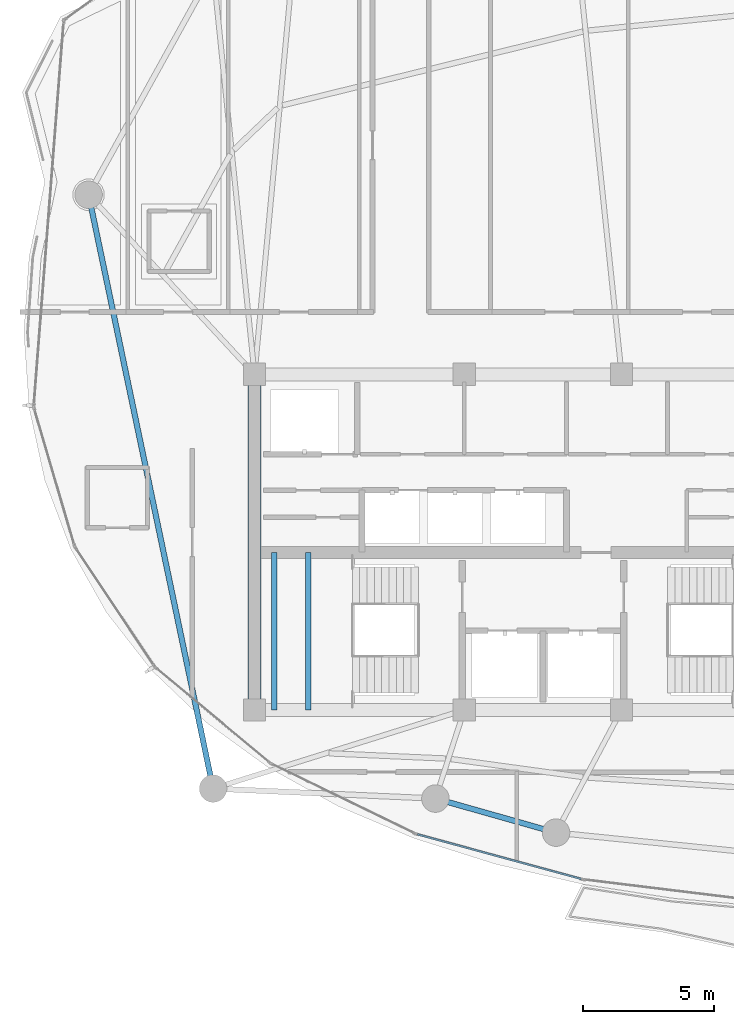
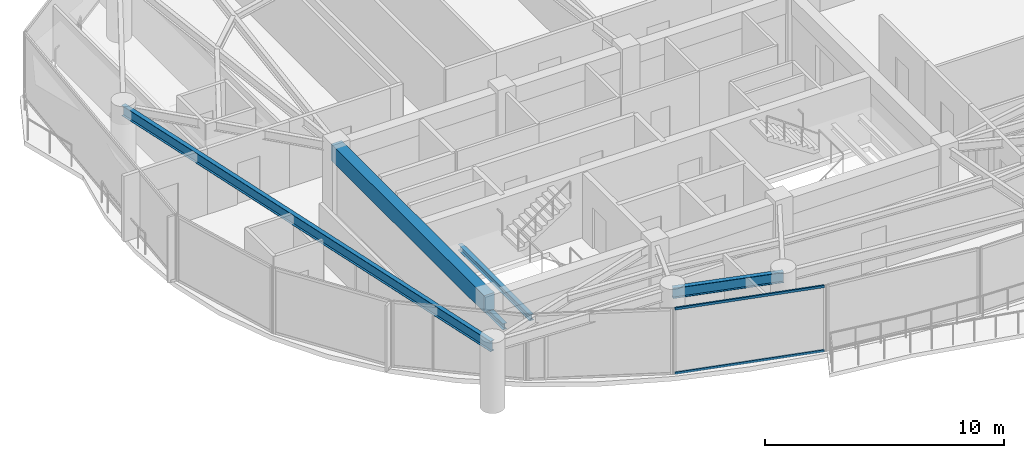
# One storey, part 4 of 31: 5 beams, 2 members, 1 element without a shape of its own.
"""IFC4 building model written with IfcOpenShell, lengths in metres."""

from ifc_helpers import new_model, si_unit, direction, frame, origin, origin_2d, place, context, subcontext, project, spatial, rectangle, hollow_rectangle, i_section, extrude, material, layer, layer_set, material_profile, profile_set, type_object, element, aggregate, save


model = new_model("IFC4")

# Units and contexts
model_context = context("Model", 3, precision=1e-05, world=origin(), true_north=direction((0.0, 1.0)))
body_context = subcontext(model_context, "Body", "Model", "MODEL_VIEW")
ifc_project = project(units=[si_unit("LENGTHUNIT", "METRE"), si_unit("AREAUNIT", "SQUARE_METRE"), si_unit("VOLUMEUNIT", "CUBIC_METRE"), si_unit("PLANEANGLEUNIT", "RADIAN"), si_unit("MASSUNIT", "GRAM", prefix="KILO")], contexts=[model_context])

# Site, building, storey
site_placement = place(None, origin())
site = spatial("IfcSite", under=ifc_project, at=site_placement, CompositionType="ELEMENT")
building_placement = place(site_placement, origin())
building = spatial("IfcBuilding", under=site, at=building_placement, Name="Kazevale Care Tower and Concert Hall", CompositionType="ELEMENT")
storey_placement = place(building_placement, frame((0.0, 0.0, 202.800048828125)))
storey = spatial("IfcBuildingStorey", under=building, at=storey_placement, Name="L53", CompositionType="ELEMENT", Elevation=202.800048828125)

# Curtain wall, members
ifc_material_1 = material(Name="Aluminium 6063-T6 and Low-E Glass", Category="aluminium")
ifc_layer = layer(ifc_material_1, 0.179931640625)
ifc_layer_set = layer_set([ifc_layer], Name="Aluminium 6063-T6 and Low-E Glass")
curtain_wall_type = type_object("IfcCurtainWallType", Name="Sheltered Concave Balcony Curtain Wall CW-5", PredefinedType="NOTDEFINED", material=ifc_layer_set)
curtain_wall_placement = place(storey_placement, origin())
curtain_wall = element("IfcCurtainWall", 1, at=curtain_wall_placement, inside=storey, type_object=curtain_wall_type, Name="cw:L53:f08", PredefinedType="NOTDEFINED")
ifc_material_2 = material(Name="Aluminium 6063-T6", Category="aluminium")
ifc_material_profile_1 = material_profile(ifc_material_2, hollow_rectangle(XDim=0.074951171875, YDim=0.1201171875, WallThickness=0.00390625, at=origin_2d()), Name="ALU75x120x4")
ifc_profile_set_1 = profile_set([ifc_material_profile_1], Name="Aluminium 6063-T6")
member_type = type_object("IfcMemberType", Name="CW-5 Transom ALU75x120x4", PredefinedType="USERDEFINED", material=ifc_profile_set_1)
member_1_placement = place(storey_placement, frame((34.458740234375, 17.15283203125, 0.037353515625), z_axis=(-0.964843890632, 0.262823641842, 0.0), x_axis=(-0.262823641842, -0.964843890632, 0.0)))
member_1 = element("IfcMember", 2, at=member_1_placement, type_object=member_type, Name="CW-5 transom 1.1", ObjectType="TRANSOM", PredefinedType="USERDEFINED", context=body_context, shape_type="SweptSolid", body=[
    extrude(hollow_rectangle(XDim=0.074951171875, YDim=0.1201171875, WallThickness=0.00390625, at=origin_2d()), origin(), (0.0, 0.0, 1.0), 6.469970703125),
])
member_2_placement = place(storey_placement, frame((34.458740234375, 17.15283203125, 3.322509765625), z_axis=(-0.964843890632, 0.262823641842, 0.0), x_axis=(-0.262823641842, -0.964843890632, 0.0)))
member_2 = element("IfcMember", 3, at=member_2_placement, type_object=member_type, Name="CW-5 transom 1.2", ObjectType="TRANSOM", PredefinedType="USERDEFINED", context=body_context, shape_type="SweptSolid", body=[
    extrude(hollow_rectangle(XDim=0.074951171875, YDim=0.1201171875, WallThickness=0.00390625, at=origin_2d()), origin(), (0.0, 0.0, 1.0), 6.469970703125),
])
aggregate(curtain_wall, [member_1, member_2])

# Beams
ifc_material_3 = material(Name="Concrete C60", Category="concrete")
ifc_material_profile_2 = material_profile(ifc_material_3, rectangle(XDim=0.5, YDim=0.85009765625, at=origin_2d()), Name="RC-B500x850")
ifc_profile_set_2 = profile_set([ifc_material_profile_2], Name="Concrete C60")
beam_type_1 = type_object("IfcBeamType", Name="Core Coupling Beam RC500x850", PredefinedType="LINTEL", material=ifc_profile_set_2)
beam_1_placement = place(storey_placement, frame((22.0, 36.39990234375, 2.93505859375), z_axis=(0.0, -1.0, 0.0), x_axis=(1.0, 0.0, 0.0)))
element("IfcBeam", 4, at=beam_1_placement, inside=storey, type_object=beam_type_1, Name="beam:L53:coretie:8", PredefinedType="LINTEL", context=body_context, shape_type="SweptSolid", body=[
    extrude(rectangle(XDim=0.5, YDim=0.85009765625, at=origin_2d()), origin(), (0.0, 0.0, 1.0), 12.7998046875),
])
ifc_material_4 = material(Name="Steel ASTM A572 Gr 50", Category="steel")
ifc_material_profile_3 = material_profile(ifc_material_4, i_section(OverallWidth=0.202880859375, OverallDepth=0.302978515625, WebThickness=0.007568359375, FlangeThickness=0.01318359375, at=origin_2d()), Name="W310x60")
ifc_profile_set_3 = profile_set([ifc_material_profile_3], Name="Steel ASTM A572 Gr 50")
beam_type_2 = type_object("IfcBeamType", Name="Stair & Balcony Trimmer W310x60", PredefinedType="BEAM", material=ifc_profile_set_3)
for number, where, z_axis, x_axis, name in (
    (5, (22.75, 23.60009765625, 1.448486328125), (0.0, 1.0, 0.0), (-1.0, 0.0, 0.0), "beam:L53:sttrim:ST1"),
    (6, (24.050048828125, 23.60009765625, 1.448486328125), (0.0, 1.0, 0.0), (-1.0, 0.0, 0.0), "beam:L53:sttrim:ST1b"),
):
    element("IfcBeam", number, at=place(storey_placement, frame(where, z_axis=z_axis, x_axis=x_axis)), inside=storey, type_object=beam_type_2, Name=name, PredefinedType="BEAM", context=body_context, shape_type="SweptSolid", body=[
        extrude(i_section(OverallWidth=0.202880859375, OverallDepth=0.302978515625, WebThickness=0.007568359375, FlangeThickness=0.01318359375, at=origin_2d()), origin(), (0.0, 0.0, 1.0), 6.0),
    ])
ifc_material_profile_4 = material_profile(ifc_material_4, i_section(OverallWidth=0.208984375, OverallDepth=0.532958984375, WebThickness=0.01025390625, FlangeThickness=0.015625, at=origin_2d()), Name="W530x92")
ifc_profile_set_4 = profile_set([ifc_material_profile_4], Name="Steel ASTM A572 Gr 50")
beam_type_3 = type_object("IfcBeamType", Name="Upper Ring Beam W530x92", PredefinedType="BEAM", material=ifc_profile_set_4)
beam_2_placement = place(storey_placement, frame((15.669921875, 43.25, 3.093505859375), z_axis=(0.205249071222, -0.978709772488, 0.0), x_axis=(0.978709772488, 0.205249071222, 0.0)))
element("IfcBeam", 7, at=beam_2_placement, inside=storey, type_object=beam_type_3, Name="beam:L53:ring:09", PredefinedType="BEAM", context=body_context, shape_type="SweptSolid", body=[
    extrude(i_section(OverallWidth=0.208984375, OverallDepth=0.532958984375, WebThickness=0.01025390625, FlangeThickness=0.015625, at=origin_2d()), origin(), (0.0, 0.0, 1.0), 23.142578125),
])
beam_3_placement = place(storey_placement, frame((28.89990234375, 20.219970703125, 3.093505859375), z_axis=(0.962308240836, -0.271961117846, 0.0), x_axis=(0.271961117846, 0.962308240836, 0.0)))
element("IfcBeam", 8, at=beam_3_placement, inside=storey, type_object=beam_type_3, Name="beam:L53:ring:11", PredefinedType="BEAM", context=body_context, shape_type="SweptSolid", body=[
    extrude(i_section(OverallWidth=0.208984375, OverallDepth=0.532958984375, WebThickness=0.01025390625, FlangeThickness=0.015625, at=origin_2d()), origin(), (0.0, 0.0, 1.0), 4.7802734375),
])

save(model, "model.ifc")
